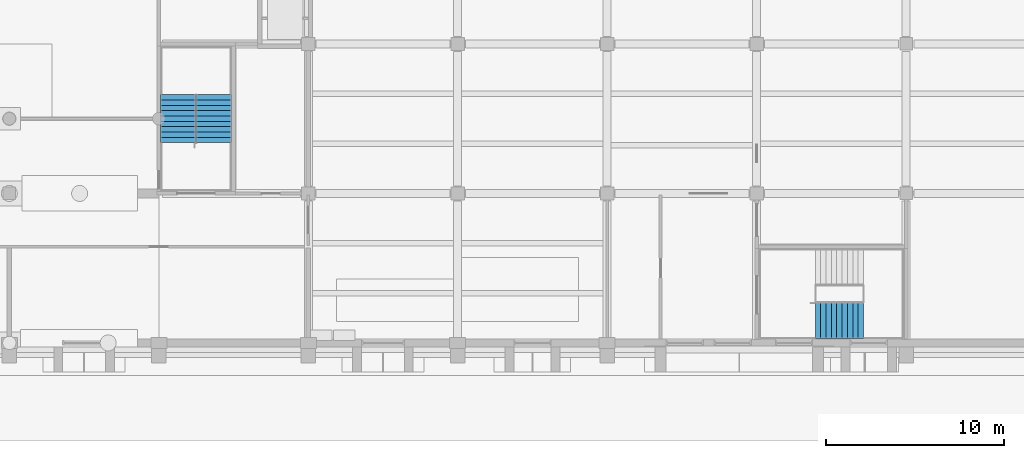
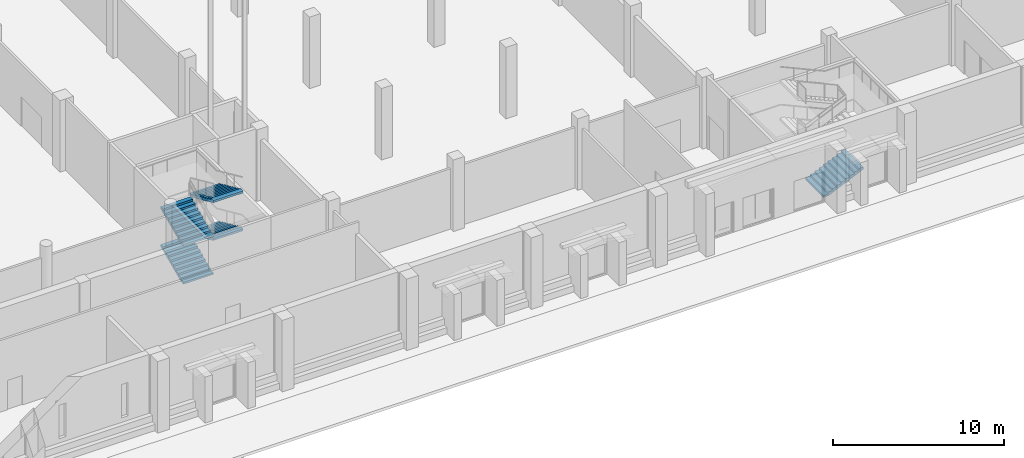
# One storey, part 53 of 74: 5 stair flights, 2 elements without a shape of their own.
"""IFC4 building model written with IfcOpenShell, lengths in metres."""

from ifc_helpers import new_model, si_unit, direction, frame, origin, place, context, subcontext, project, spatial, faceted_brep, material, type_object, element, aggregate, save


model = new_model("IFC4")

# Units and contexts
model_context = context("Model", 3, precision=1e-05, world=origin(), true_north=direction((0.0, 1.0)))
body_context = subcontext(model_context, "Body", "Model", "MODEL_VIEW")
ifc_project = project(units=[si_unit("LENGTHUNIT", "METRE"), si_unit("AREAUNIT", "SQUARE_METRE"), si_unit("VOLUMEUNIT", "CUBIC_METRE"), si_unit("PLANEANGLEUNIT", "RADIAN"), si_unit("MASSUNIT", "GRAM", prefix="KILO")], contexts=[model_context])

# Site, building, storey
site_placement = place(None, origin())
site = spatial("IfcSite", under=ifc_project, at=site_placement, CompositionType="ELEMENT")
building_placement = place(site_placement, origin())
building = spatial("IfcBuilding", under=site, at=building_placement, Name="Rulbaag Community and Learning Centre", CompositionType="ELEMENT")
storey_placement = place(building_placement, origin())
storey = spatial("IfcBuildingStorey", under=building, at=storey_placement, Name="L00", CompositionType="ELEMENT", Elevation=0.0)

# Stair, stair flights
ifc_material = material(Name="Concrete M40", Category="concrete")
stair_type_1 = type_object("IfcStairType", Name="ST-2000 STAIR 2000 WIDE", PredefinedType="HALF_TURN_STAIR", material=ifc_material)
stair_1_placement = place(storey_placement, origin())
stair_1 = element("IfcStair", 1, at=stair_1_placement, inside=storey, type_object=stair_type_1, Name="Stair ST-H2 L00", PredefinedType="HALF_TURN_STAIR")
stair_flight_type_1 = type_object("IfcStairFlightType", Name="FL-2000 FLIGHT 2000 WIDE Concrete M40", PredefinedType="STRAIGHT", material=ifc_material)
stair_flight_1_placement = place(storey_placement, frame((85.10009765625, 11.25, 0.0), z_axis=(0.0, 0.0, 1.0), x_axis=(0.0, 1.0, 0.0)))
stair_flight_1 = element("IfcStairFlight", 2, at=stair_flight_1_placement, type_object=stair_flight_type_1, Name="ST-H2 flight 1", NumberOfRisers=10, NumberOfTreads=9, PredefinedType="STRAIGHT", RiserHeight=0.135, TreadLength=0.3, context=body_context, shape_type="Brep", body=[
    faceted_brep([(0.3408203125, -1.0, 0.0), (2.699951171875, -1.0, 1.0615234375), (2.699951171875, -1.0, 1.215087890625), (2.39990234375, -1.0, 1.215087890625), (2.39990234375, -1.0, 1.080078125), (2.10009765625, -1.0, 1.080078125), (2.10009765625, -1.0, 0.945068359375), (1.800048828125, -1.0, 0.945068359375), (1.800048828125, -1.0, 0.81005859375), (1.5, -1.0, 0.81005859375), (1.5, -1.0, 0.675048828125), (1.199951171875, -1.0, 0.675048828125), (1.199951171875, -1.0, 0.5400390625), (0.89990234375, -1.0, 0.5400390625), (0.89990234375, -1.0, 0.405029296875), (0.60009765625, -1.0, 0.405029296875), (0.60009765625, -1.0, 0.27001953125), (0.300048828125, -1.0, 0.27001953125), (0.300048828125, -1.0, 0.135009765625), (0.0, -1.0, 0.135009765625), (0.0, -1.0, 0.0), (0.0, 1.0, 0.0), (0.0, 1.0, 0.135009765625), (0.300048828125, 1.0, 0.135009765625), (0.300048828125, 1.0, 0.27001953125), (0.60009765625, 1.0, 0.27001953125), (0.60009765625, 1.0, 0.405029296875), (0.89990234375, 1.0, 0.405029296875), (0.89990234375, 1.0, 0.5400390625), (1.199951171875, 1.0, 0.5400390625), (1.199951171875, 1.0, 0.675048828125), (1.5, 1.0, 0.675048828125), (1.5, 1.0, 0.81005859375), (1.800048828125, 1.0, 0.81005859375), (1.800048828125, 1.0, 0.945068359375), (2.10009765625, 1.0, 0.945068359375), (2.10009765625, 1.0, 1.080078125), (2.39990234375, 1.0, 1.080078125), (2.39990234375, 1.0, 1.215087890625), (2.699951171875, 1.0, 1.215087890625), (2.699951171875, 1.0, 1.0615234375), (0.3408203125, 1.0, 0.0), (0.0, -0.333251953125, 0.135009765625), (0.0, -0.333251953125, 0.0), (0.0, 0.333251953125, 0.135009765625), (0.0, 0.333251953125, 0.0), (0.300048828125, -0.333251953125, 0.135009765625), (0.300048828125, 0.333251953125, 0.135009765625), (0.300048828125, -0.333251953125, 0.27001953125), (0.300048828125, 0.333251953125, 0.27001953125), (0.60009765625, -0.333251953125, 0.27001953125), (0.60009765625, 0.333251953125, 0.27001953125), (0.60009765625, -0.333251953125, 0.405029296875), (0.60009765625, 0.333251953125, 0.405029296875), (0.89990234375, -0.333251953125, 0.405029296875), (0.89990234375, 0.333251953125, 0.405029296875), (0.89990234375, -0.333251953125, 0.5400390625), (0.89990234375, 0.333251953125, 0.5400390625), (1.199951171875, -0.333251953125, 0.5400390625), (1.199951171875, 0.333251953125, 0.5400390625), (1.199951171875, -0.333251953125, 0.675048828125), (1.199951171875, 0.333251953125, 0.675048828125), (1.5, -0.333251953125, 0.675048828125), (1.5, 0.333251953125, 0.675048828125), (1.5, -0.333251953125, 0.81005859375), (1.5, 0.333251953125, 0.81005859375), (1.800048828125, -0.333251953125, 0.81005859375), (1.800048828125, 0.333251953125, 0.81005859375), (1.800048828125, -0.333251953125, 0.945068359375), (1.800048828125, 0.333251953125, 0.945068359375), (2.10009765625, -0.333251953125, 0.945068359375), (2.10009765625, 0.333251953125, 0.945068359375), (2.10009765625, -0.333251953125, 1.080078125), (2.10009765625, 0.333251953125, 1.080078125), (2.39990234375, -0.333251953125, 1.080078125), (2.39990234375, 0.333251953125, 1.080078125), (2.39990234375, -0.333251953125, 1.215087890625), (2.39990234375, 0.333251953125, 1.215087890625), (2.699951171875, -0.333251953125, 1.215087890625), (2.699951171875, 0.333251953125, 1.215087890625), (2.699951171875, -0.333251953125, 1.0615234375), (2.699951171875, 0.333251953125, 1.0615234375), (0.3408203125, -0.333251953125, 0.0), (0.3408203125, 0.333251953125, 0.0)], [[[0, 1, 2, 3, 4, 5, 6, 7, 8, 9, 10, 11, 12, 13, 14, 15, 16, 17, 18, 19, 20]], [[21, 22, 23, 24, 25, 26, 27, 28, 29, 30, 31, 32, 33, 34, 35, 36, 37, 38, 39, 40, 41]], [[20, 19, 42, 43]], [[43, 42, 44, 45]], [[45, 44, 22, 21]], [[19, 18, 46, 42]], [[42, 46, 47, 44]], [[44, 47, 23, 22]], [[18, 17, 48, 46]], [[46, 48, 49, 47]], [[47, 49, 24, 23]], [[17, 16, 50, 48]], [[48, 50, 51, 49]], [[49, 51, 25, 24]], [[16, 15, 52, 50]], [[50, 52, 53, 51]], [[51, 53, 26, 25]], [[15, 14, 54, 52]], [[52, 54, 55, 53]], [[53, 55, 27, 26]], [[14, 13, 56, 54]], [[54, 56, 57, 55]], [[55, 57, 28, 27]], [[13, 12, 58, 56]], [[56, 58, 59, 57]], [[57, 59, 29, 28]], [[12, 11, 60, 58]], [[58, 60, 61, 59]], [[59, 61, 30, 29]], [[11, 10, 62, 60]], [[60, 62, 63, 61]], [[61, 63, 31, 30]], [[10, 9, 64, 62]], [[62, 64, 65, 63]], [[63, 65, 32, 31]], [[9, 8, 66, 64]], [[64, 66, 67, 65]], [[65, 67, 33, 32]], [[8, 7, 68, 66]], [[66, 68, 69, 67]], [[67, 69, 34, 33]], [[7, 6, 70, 68]], [[68, 70, 71, 69]], [[69, 71, 35, 34]], [[6, 5, 72, 70]], [[70, 72, 73, 71]], [[71, 73, 36, 35]], [[5, 4, 74, 72]], [[72, 74, 75, 73]], [[73, 75, 37, 36]], [[4, 3, 76, 74]], [[74, 76, 77, 75]], [[75, 77, 38, 37]], [[3, 2, 78, 76]], [[76, 78, 79, 77]], [[77, 79, 39, 38]], [[2, 1, 80, 78]], [[78, 80, 81, 79]], [[79, 81, 40, 39]], [[1, 0, 82, 80]], [[80, 82, 83, 81]], [[81, 83, 41, 40]], [[0, 20, 43, 82]], [[82, 43, 45, 83]], [[83, 45, 21, 41]]]),
])
stair_flight_2_placement = place(storey_placement, frame((87.10009765625, 13.949951171875, 1.35009765625), z_axis=(0.0, 0.0, 1.0), x_axis=(0.0, -1.0, 0.0)))
stair_flight_2 = element("IfcStairFlight", 3, at=stair_flight_2_placement, type_object=stair_flight_type_1, Name="ST-H2 flight 2", NumberOfRisers=10, NumberOfTreads=9, PredefinedType="STRAIGHT", RiserHeight=0.135, TreadLength=0.3, context=body_context, shape_type="Brep", body=[
    faceted_brep([(0.3408203125, -1.0, 0.0), (2.699951171875, -1.0, 1.0615234375), (2.699951171875, -1.0, 1.215087890625), (2.39990234375, -1.0, 1.215087890625), (2.39990234375, -1.0, 1.080078125), (2.10009765625, -1.0, 1.080078125), (2.10009765625, -1.0, 0.945068359375), (1.800048828125, -1.0, 0.945068359375), (1.800048828125, -1.0, 0.81005859375), (1.5, -1.0, 0.81005859375), (1.5, -1.0, 0.675048828125), (1.199951171875, -1.0, 0.675048828125), (1.199951171875, -1.0, 0.5400390625), (0.89990234375, -1.0, 0.5400390625), (0.89990234375, -1.0, 0.405029296875), (0.60009765625, -1.0, 0.405029296875), (0.60009765625, -1.0, 0.27001953125), (0.300048828125, -1.0, 0.27001953125), (0.300048828125, -1.0, 0.135009765625), (0.0, -1.0, 0.135009765625), (0.0, -1.0, 0.0), (0.0, 1.0, 0.0), (0.0, 1.0, 0.135009765625), (0.300048828125, 1.0, 0.135009765625), (0.300048828125, 1.0, 0.27001953125), (0.60009765625, 1.0, 0.27001953125), (0.60009765625, 1.0, 0.405029296875), (0.89990234375, 1.0, 0.405029296875), (0.89990234375, 1.0, 0.5400390625), (1.199951171875, 1.0, 0.5400390625), (1.199951171875, 1.0, 0.675048828125), (1.5, 1.0, 0.675048828125), (1.5, 1.0, 0.81005859375), (1.800048828125, 1.0, 0.81005859375), (1.800048828125, 1.0, 0.945068359375), (2.10009765625, 1.0, 0.945068359375), (2.10009765625, 1.0, 1.080078125), (2.39990234375, 1.0, 1.080078125), (2.39990234375, 1.0, 1.215087890625), (2.699951171875, 1.0, 1.215087890625), (2.699951171875, 1.0, 1.0615234375), (0.3408203125, 1.0, 0.0), (0.0, -0.333251953125, 0.135009765625), (0.0, -0.333251953125, 0.0), (0.0, 0.333251953125, 0.135009765625), (0.0, 0.333251953125, 0.0), (0.300048828125, -0.333251953125, 0.135009765625), (0.300048828125, 0.333251953125, 0.135009765625), (0.300048828125, -0.333251953125, 0.27001953125), (0.300048828125, 0.333251953125, 0.27001953125), (0.60009765625, -0.333251953125, 0.27001953125), (0.60009765625, 0.333251953125, 0.27001953125), (0.60009765625, -0.333251953125, 0.405029296875), (0.60009765625, 0.333251953125, 0.405029296875), (0.89990234375, -0.333251953125, 0.405029296875), (0.89990234375, 0.333251953125, 0.405029296875), (0.89990234375, -0.333251953125, 0.5400390625), (0.89990234375, 0.333251953125, 0.5400390625), (1.199951171875, -0.333251953125, 0.5400390625), (1.199951171875, 0.333251953125, 0.5400390625), (1.199951171875, -0.333251953125, 0.675048828125), (1.199951171875, 0.333251953125, 0.675048828125), (1.5, -0.333251953125, 0.675048828125), (1.5, 0.333251953125, 0.675048828125), (1.5, -0.333251953125, 0.81005859375), (1.5, 0.333251953125, 0.81005859375), (1.800048828125, -0.333251953125, 0.81005859375), (1.800048828125, 0.333251953125, 0.81005859375), (1.800048828125, -0.333251953125, 0.945068359375), (1.800048828125, 0.333251953125, 0.945068359375), (2.10009765625, -0.333251953125, 0.945068359375), (2.10009765625, 0.333251953125, 0.945068359375), (2.10009765625, -0.333251953125, 1.080078125), (2.10009765625, 0.333251953125, 1.080078125), (2.39990234375, -0.333251953125, 1.080078125), (2.39990234375, 0.333251953125, 1.080078125), (2.39990234375, -0.333251953125, 1.215087890625), (2.39990234375, 0.333251953125, 1.215087890625), (2.699951171875, -0.333251953125, 1.215087890625), (2.699951171875, 0.333251953125, 1.215087890625), (2.699951171875, -0.333251953125, 1.0615234375), (2.699951171875, 0.333251953125, 1.0615234375), (0.3408203125, -0.333251953125, 0.0), (0.3408203125, 0.333251953125, 0.0)], [[[0, 1, 2, 3, 4, 5, 6, 7, 8, 9, 10, 11, 12, 13, 14, 15, 16, 17, 18, 19, 20]], [[21, 22, 23, 24, 25, 26, 27, 28, 29, 30, 31, 32, 33, 34, 35, 36, 37, 38, 39, 40, 41]], [[20, 19, 42, 43]], [[43, 42, 44, 45]], [[45, 44, 22, 21]], [[19, 18, 46, 42]], [[42, 46, 47, 44]], [[44, 47, 23, 22]], [[18, 17, 48, 46]], [[46, 48, 49, 47]], [[47, 49, 24, 23]], [[17, 16, 50, 48]], [[48, 50, 51, 49]], [[49, 51, 25, 24]], [[16, 15, 52, 50]], [[50, 52, 53, 51]], [[51, 53, 26, 25]], [[15, 14, 54, 52]], [[52, 54, 55, 53]], [[53, 55, 27, 26]], [[14, 13, 56, 54]], [[54, 56, 57, 55]], [[55, 57, 28, 27]], [[13, 12, 58, 56]], [[56, 58, 59, 57]], [[57, 59, 29, 28]], [[12, 11, 60, 58]], [[58, 60, 61, 59]], [[59, 61, 30, 29]], [[11, 10, 62, 60]], [[60, 62, 63, 61]], [[61, 63, 31, 30]], [[10, 9, 64, 62]], [[62, 64, 65, 63]], [[63, 65, 32, 31]], [[9, 8, 66, 64]], [[64, 66, 67, 65]], [[65, 67, 33, 32]], [[8, 7, 68, 66]], [[66, 68, 69, 67]], [[67, 69, 34, 33]], [[7, 6, 70, 68]], [[68, 70, 71, 69]], [[69, 71, 35, 34]], [[6, 5, 72, 70]], [[70, 72, 73, 71]], [[71, 73, 36, 35]], [[5, 4, 74, 72]], [[72, 74, 75, 73]], [[73, 75, 37, 36]], [[4, 3, 76, 74]], [[74, 76, 77, 75]], [[75, 77, 38, 37]], [[3, 2, 78, 76]], [[76, 78, 79, 77]], [[77, 79, 39, 38]], [[2, 1, 80, 78]], [[78, 80, 81, 79]], [[79, 81, 40, 39]], [[1, 0, 82, 80]], [[80, 82, 83, 81]], [[81, 83, 41, 40]], [[0, 20, 43, 82]], [[82, 43, 45, 83]], [[83, 45, 21, 41]]]),
])
stair_flight_3_placement = place(storey_placement, frame((85.10009765625, 11.25, 2.699951171875), z_axis=(0.0, 0.0, 1.0), x_axis=(0.0, 1.0, 0.0)))
stair_flight_3 = element("IfcStairFlight", 4, at=stair_flight_3_placement, type_object=stair_flight_type_1, Name="ST-H2 flight 3", NumberOfRisers=10, NumberOfTreads=9, PredefinedType="STRAIGHT", RiserHeight=0.135, TreadLength=0.3, context=body_context, shape_type="Brep", body=[
    faceted_brep([(0.3408203125, -1.0, 0.0), (2.699951171875, -1.0, 1.0615234375), (2.699951171875, -1.0, 1.215087890625), (2.39990234375, -1.0, 1.215087890625), (2.39990234375, -1.0, 1.080078125), (2.10009765625, -1.0, 1.080078125), (2.10009765625, -1.0, 0.945068359375), (1.800048828125, -1.0, 0.945068359375), (1.800048828125, -1.0, 0.81005859375), (1.5, -1.0, 0.81005859375), (1.5, -1.0, 0.675048828125), (1.199951171875, -1.0, 0.675048828125), (1.199951171875, -1.0, 0.5400390625), (0.89990234375, -1.0, 0.5400390625), (0.89990234375, -1.0, 0.405029296875), (0.60009765625, -1.0, 0.405029296875), (0.60009765625, -1.0, 0.27001953125), (0.300048828125, -1.0, 0.27001953125), (0.300048828125, -1.0, 0.135009765625), (0.0, -1.0, 0.135009765625), (0.0, -1.0, 0.0), (0.0, 1.0, 0.0), (0.0, 1.0, 0.135009765625), (0.300048828125, 1.0, 0.135009765625), (0.300048828125, 1.0, 0.27001953125), (0.60009765625, 1.0, 0.27001953125), (0.60009765625, 1.0, 0.405029296875), (0.89990234375, 1.0, 0.405029296875), (0.89990234375, 1.0, 0.5400390625), (1.199951171875, 1.0, 0.5400390625), (1.199951171875, 1.0, 0.675048828125), (1.5, 1.0, 0.675048828125), (1.5, 1.0, 0.81005859375), (1.800048828125, 1.0, 0.81005859375), (1.800048828125, 1.0, 0.945068359375), (2.10009765625, 1.0, 0.945068359375), (2.10009765625, 1.0, 1.080078125), (2.39990234375, 1.0, 1.080078125), (2.39990234375, 1.0, 1.215087890625), (2.699951171875, 1.0, 1.215087890625), (2.699951171875, 1.0, 1.0615234375), (0.3408203125, 1.0, 0.0), (0.0, -0.333251953125, 0.135009765625), (0.0, -0.333251953125, 0.0), (0.0, 0.333251953125, 0.135009765625), (0.0, 0.333251953125, 0.0), (0.300048828125, -0.333251953125, 0.135009765625), (0.300048828125, 0.333251953125, 0.135009765625), (0.300048828125, -0.333251953125, 0.27001953125), (0.300048828125, 0.333251953125, 0.27001953125), (0.60009765625, -0.333251953125, 0.27001953125), (0.60009765625, 0.333251953125, 0.27001953125), (0.60009765625, -0.333251953125, 0.405029296875), (0.60009765625, 0.333251953125, 0.405029296875), (0.89990234375, -0.333251953125, 0.405029296875), (0.89990234375, 0.333251953125, 0.405029296875), (0.89990234375, -0.333251953125, 0.5400390625), (0.89990234375, 0.333251953125, 0.5400390625), (1.199951171875, -0.333251953125, 0.5400390625), (1.199951171875, 0.333251953125, 0.5400390625), (1.199951171875, -0.333251953125, 0.675048828125), (1.199951171875, 0.333251953125, 0.675048828125), (1.5, -0.333251953125, 0.675048828125), (1.5, 0.333251953125, 0.675048828125), (1.5, -0.333251953125, 0.81005859375), (1.5, 0.333251953125, 0.81005859375), (1.800048828125, -0.333251953125, 0.81005859375), (1.800048828125, 0.333251953125, 0.81005859375), (1.800048828125, -0.333251953125, 0.945068359375), (1.800048828125, 0.333251953125, 0.945068359375), (2.10009765625, -0.333251953125, 0.945068359375), (2.10009765625, 0.333251953125, 0.945068359375), (2.10009765625, -0.333251953125, 1.080078125), (2.10009765625, 0.333251953125, 1.080078125), (2.39990234375, -0.333251953125, 1.080078125), (2.39990234375, 0.333251953125, 1.080078125), (2.39990234375, -0.333251953125, 1.215087890625), (2.39990234375, 0.333251953125, 1.215087890625), (2.699951171875, -0.333251953125, 1.215087890625), (2.699951171875, 0.333251953125, 1.215087890625), (2.699951171875, -0.333251953125, 1.0615234375), (2.699951171875, 0.333251953125, 1.0615234375), (0.3408203125, -0.333251953125, 0.0), (0.3408203125, 0.333251953125, 0.0)], [[[0, 1, 2, 3, 4, 5, 6, 7, 8, 9, 10, 11, 12, 13, 14, 15, 16, 17, 18, 19, 20]], [[21, 22, 23, 24, 25, 26, 27, 28, 29, 30, 31, 32, 33, 34, 35, 36, 37, 38, 39, 40, 41]], [[20, 19, 42, 43]], [[43, 42, 44, 45]], [[45, 44, 22, 21]], [[19, 18, 46, 42]], [[42, 46, 47, 44]], [[44, 47, 23, 22]], [[18, 17, 48, 46]], [[46, 48, 49, 47]], [[47, 49, 24, 23]], [[17, 16, 50, 48]], [[48, 50, 51, 49]], [[49, 51, 25, 24]], [[16, 15, 52, 50]], [[50, 52, 53, 51]], [[51, 53, 26, 25]], [[15, 14, 54, 52]], [[52, 54, 55, 53]], [[53, 55, 27, 26]], [[14, 13, 56, 54]], [[54, 56, 57, 55]], [[55, 57, 28, 27]], [[13, 12, 58, 56]], [[56, 58, 59, 57]], [[57, 59, 29, 28]], [[12, 11, 60, 58]], [[58, 60, 61, 59]], [[59, 61, 30, 29]], [[11, 10, 62, 60]], [[60, 62, 63, 61]], [[61, 63, 31, 30]], [[10, 9, 64, 62]], [[62, 64, 65, 63]], [[63, 65, 32, 31]], [[9, 8, 66, 64]], [[64, 66, 67, 65]], [[65, 67, 33, 32]], [[8, 7, 68, 66]], [[66, 68, 69, 67]], [[67, 69, 34, 33]], [[7, 6, 70, 68]], [[68, 70, 71, 69]], [[69, 71, 35, 34]], [[6, 5, 72, 70]], [[70, 72, 73, 71]], [[71, 73, 36, 35]], [[5, 4, 74, 72]], [[72, 74, 75, 73]], [[73, 75, 37, 36]], [[4, 3, 76, 74]], [[74, 76, 77, 75]], [[75, 77, 38, 37]], [[3, 2, 78, 76]], [[76, 78, 79, 77]], [[77, 79, 39, 38]], [[2, 1, 80, 78]], [[78, 80, 81, 79]], [[79, 81, 40, 39]], [[1, 0, 82, 80]], [[80, 82, 83, 81]], [[81, 83, 41, 40]], [[0, 20, 43, 82]], [[82, 43, 45, 83]], [[83, 45, 21, 41]]]),
])
stair_flight_4_placement = place(storey_placement, frame((87.10009765625, 13.949951171875, 4.050048828125), z_axis=(0.0, 0.0, 1.0), x_axis=(0.0, -1.0, 0.0)))
stair_flight_4 = element("IfcStairFlight", 5, at=stair_flight_4_placement, type_object=stair_flight_type_1, Name="ST-H2 flight 4", NumberOfRisers=10, NumberOfTreads=9, PredefinedType="STRAIGHT", RiserHeight=0.135, TreadLength=0.3, context=body_context, shape_type="Brep", body=[
    faceted_brep([(0.3408203125, -1.0, 0.0), (2.699951171875, -1.0, 1.0615234375), (2.699951171875, -1.0, 1.215087890625), (2.39990234375, -1.0, 1.215087890625), (2.39990234375, -1.0, 1.080078125), (2.10009765625, -1.0, 1.080078125), (2.10009765625, -1.0, 0.945068359375), (1.800048828125, -1.0, 0.945068359375), (1.800048828125, -1.0, 0.81005859375), (1.5, -1.0, 0.81005859375), (1.5, -1.0, 0.675048828125), (1.199951171875, -1.0, 0.675048828125), (1.199951171875, -1.0, 0.5400390625), (0.89990234375, -1.0, 0.5400390625), (0.89990234375, -1.0, 0.405029296875), (0.60009765625, -1.0, 0.405029296875), (0.60009765625, -1.0, 0.27001953125), (0.300048828125, -1.0, 0.27001953125), (0.300048828125, -1.0, 0.135009765625), (0.0, -1.0, 0.135009765625), (0.0, -1.0, 0.0), (0.0, 1.0, 0.0), (0.0, 1.0, 0.135009765625), (0.300048828125, 1.0, 0.135009765625), (0.300048828125, 1.0, 0.27001953125), (0.60009765625, 1.0, 0.27001953125), (0.60009765625, 1.0, 0.405029296875), (0.89990234375, 1.0, 0.405029296875), (0.89990234375, 1.0, 0.5400390625), (1.199951171875, 1.0, 0.5400390625), (1.199951171875, 1.0, 0.675048828125), (1.5, 1.0, 0.675048828125), (1.5, 1.0, 0.81005859375), (1.800048828125, 1.0, 0.81005859375), (1.800048828125, 1.0, 0.945068359375), (2.10009765625, 1.0, 0.945068359375), (2.10009765625, 1.0, 1.080078125), (2.39990234375, 1.0, 1.080078125), (2.39990234375, 1.0, 1.215087890625), (2.699951171875, 1.0, 1.215087890625), (2.699951171875, 1.0, 1.0615234375), (0.3408203125, 1.0, 0.0), (0.0, -0.333251953125, 0.135009765625), (0.0, -0.333251953125, 0.0), (0.0, 0.333251953125, 0.135009765625), (0.0, 0.333251953125, 0.0), (0.300048828125, -0.333251953125, 0.135009765625), (0.300048828125, 0.333251953125, 0.135009765625), (0.300048828125, -0.333251953125, 0.27001953125), (0.300048828125, 0.333251953125, 0.27001953125), (0.60009765625, -0.333251953125, 0.27001953125), (0.60009765625, 0.333251953125, 0.27001953125), (0.60009765625, -0.333251953125, 0.405029296875), (0.60009765625, 0.333251953125, 0.405029296875), (0.89990234375, -0.333251953125, 0.405029296875), (0.89990234375, 0.333251953125, 0.405029296875), (0.89990234375, -0.333251953125, 0.5400390625), (0.89990234375, 0.333251953125, 0.5400390625), (1.199951171875, -0.333251953125, 0.5400390625), (1.199951171875, 0.333251953125, 0.5400390625), (1.199951171875, -0.333251953125, 0.675048828125), (1.199951171875, 0.333251953125, 0.675048828125), (1.5, -0.333251953125, 0.675048828125), (1.5, 0.333251953125, 0.675048828125), (1.5, -0.333251953125, 0.81005859375), (1.5, 0.333251953125, 0.81005859375), (1.800048828125, -0.333251953125, 0.81005859375), (1.800048828125, 0.333251953125, 0.81005859375), (1.800048828125, -0.333251953125, 0.945068359375), (1.800048828125, 0.333251953125, 0.945068359375), (2.10009765625, -0.333251953125, 0.945068359375), (2.10009765625, 0.333251953125, 0.945068359375), (2.10009765625, -0.333251953125, 1.080078125), (2.10009765625, 0.333251953125, 1.080078125), (2.39990234375, -0.333251953125, 1.080078125), (2.39990234375, 0.333251953125, 1.080078125), (2.39990234375, -0.333251953125, 1.215087890625), (2.39990234375, 0.333251953125, 1.215087890625), (2.699951171875, -0.333251953125, 1.215087890625), (2.699951171875, 0.333251953125, 1.215087890625), (2.699951171875, -0.333251953125, 1.0615234375), (2.699951171875, 0.333251953125, 1.0615234375), (0.3408203125, -0.333251953125, 0.0), (0.3408203125, 0.333251953125, 0.0)], [[[0, 1, 2, 3, 4, 5, 6, 7, 8, 9, 10, 11, 12, 13, 14, 15, 16, 17, 18, 19, 20]], [[21, 22, 23, 24, 25, 26, 27, 28, 29, 30, 31, 32, 33, 34, 35, 36, 37, 38, 39, 40, 41]], [[20, 19, 42, 43]], [[43, 42, 44, 45]], [[45, 44, 22, 21]], [[19, 18, 46, 42]], [[42, 46, 47, 44]], [[44, 47, 23, 22]], [[18, 17, 48, 46]], [[46, 48, 49, 47]], [[47, 49, 24, 23]], [[17, 16, 50, 48]], [[48, 50, 51, 49]], [[49, 51, 25, 24]], [[16, 15, 52, 50]], [[50, 52, 53, 51]], [[51, 53, 26, 25]], [[15, 14, 54, 52]], [[52, 54, 55, 53]], [[53, 55, 27, 26]], [[14, 13, 56, 54]], [[54, 56, 57, 55]], [[55, 57, 28, 27]], [[13, 12, 58, 56]], [[56, 58, 59, 57]], [[57, 59, 29, 28]], [[12, 11, 60, 58]], [[58, 60, 61, 59]], [[59, 61, 30, 29]], [[11, 10, 62, 60]], [[60, 62, 63, 61]], [[61, 63, 31, 30]], [[10, 9, 64, 62]], [[62, 64, 65, 63]], [[63, 65, 32, 31]], [[9, 8, 66, 64]], [[64, 66, 67, 65]], [[65, 67, 33, 32]], [[8, 7, 68, 66]], [[66, 68, 69, 67]], [[67, 69, 34, 33]], [[7, 6, 70, 68]], [[68, 70, 71, 69]], [[69, 71, 35, 34]], [[6, 5, 72, 70]], [[70, 72, 73, 71]], [[71, 73, 36, 35]], [[5, 4, 74, 72]], [[72, 74, 75, 73]], [[73, 75, 37, 36]], [[4, 3, 76, 74]], [[74, 76, 77, 75]], [[75, 77, 38, 37]], [[3, 2, 78, 76]], [[76, 78, 79, 77]], [[77, 79, 39, 38]], [[2, 1, 80, 78]], [[78, 80, 81, 79]], [[79, 81, 40, 39]], [[1, 0, 82, 80]], [[80, 82, 83, 81]], [[81, 83, 41, 40]], [[0, 20, 43, 82]], [[82, 43, 45, 83]], [[83, 45, 21, 41]]]),
])
aggregate(stair_1, [stair_flight_1, stair_flight_2, stair_flight_3, stair_flight_4])

# Stair, stair flight
stair_type_2 = type_object("IfcStairType", Name="ST-2100 STAIR 2100 WIDE", PredefinedType="HALF_TURN_STAIR", material=ifc_material)
stair_2_placement = place(storey_placement, origin())
stair_2 = element("IfcStair", 6, at=stair_2_placement, inside=storey, type_object=stair_type_2, Name="Stair ST-H11 L00", PredefinedType="HALF_TURN_STAIR")
stair_flight_type_2 = type_object("IfcStairFlightType", Name="FL-2100 FLIGHT 2100 WIDE Concrete M40", PredefinedType="STRAIGHT", material=ifc_material)
stair_flight_5_placement = place(storey_placement, frame((120.89990234375, 1.27490234375, 0.0), z_axis=(0.0, 0.0, 1.0), x_axis=(1.0, 0.0, 0.0)))
stair_flight_5 = element("IfcStairFlight", 7, at=stair_flight_5_placement, type_object=stair_flight_type_2, Name="ST-H11 flight 1", NumberOfRisers=10, NumberOfTreads=9, PredefinedType="STRAIGHT", RiserHeight=0.135, TreadLength=0.3, context=body_context, shape_type="Brep", body=[
    faceted_brep([(0.3408203125, -1.050048828125, 0.0), (2.699951171875, -1.050048828125, 1.0615234375), (2.699951171875, -1.050048828125, 1.215087890625), (2.39990234375, -1.050048828125, 1.215087890625), (2.39990234375, -1.050048828125, 1.080078125), (2.10009765625, -1.050048828125, 1.080078125), (2.10009765625, -1.050048828125, 0.945068359375), (1.800048828125, -1.050048828125, 0.945068359375), (1.800048828125, -1.050048828125, 0.81005859375), (1.5, -1.050048828125, 0.81005859375), (1.5, -1.050048828125, 0.675048828125), (1.199951171875, -1.050048828125, 0.675048828125), (1.199951171875, -1.050048828125, 0.5400390625), (0.89990234375, -1.050048828125, 0.5400390625), (0.89990234375, -1.050048828125, 0.405029296875), (0.60009765625, -1.050048828125, 0.405029296875), (0.60009765625, -1.050048828125, 0.27001953125), (0.300048828125, -1.050048828125, 0.27001953125), (0.300048828125, -1.050048828125, 0.135009765625), (0.0, -1.050048828125, 0.135009765625), (0.0, -1.050048828125, 0.0), (0.0, 1.050048828125, 0.0), (0.0, 1.050048828125, 0.135009765625), (0.300048828125, 1.050048828125, 0.135009765625), (0.300048828125, 1.050048828125, 0.27001953125), (0.60009765625, 1.050048828125, 0.27001953125), (0.60009765625, 1.050048828125, 0.405029296875), (0.89990234375, 1.050048828125, 0.405029296875), (0.89990234375, 1.050048828125, 0.5400390625), (1.199951171875, 1.050048828125, 0.5400390625), (1.199951171875, 1.050048828125, 0.675048828125), (1.5, 1.050048828125, 0.675048828125), (1.5, 1.050048828125, 0.81005859375), (1.800048828125, 1.050048828125, 0.81005859375), (1.800048828125, 1.050048828125, 0.945068359375), (2.10009765625, 1.050048828125, 0.945068359375), (2.10009765625, 1.050048828125, 1.080078125), (2.39990234375, 1.050048828125, 1.080078125), (2.39990234375, 1.050048828125, 1.215087890625), (2.699951171875, 1.050048828125, 1.215087890625), (2.699951171875, 1.050048828125, 1.0615234375), (0.3408203125, 1.050048828125, 0.0), (0.0, -0.52490234375, 0.135009765625), (0.0, -0.52490234375, 0.0), (0.0, 0.0, 0.135009765625), (0.0, 0.0, 0.0), (0.0, 0.52490234375, 0.135009765625), (0.0, 0.52490234375, 0.0), (0.300048828125, -0.52490234375, 0.135009765625), (0.300048828125, 0.0, 0.135009765625), (0.300048828125, 0.52490234375, 0.135009765625), (0.300048828125, -0.52490234375, 0.27001953125), (0.300048828125, 0.0, 0.27001953125), (0.300048828125, 0.52490234375, 0.27001953125), (0.60009765625, -0.52490234375, 0.27001953125), (0.60009765625, 0.0, 0.27001953125), (0.60009765625, 0.52490234375, 0.27001953125), (0.60009765625, -0.52490234375, 0.405029296875), (0.60009765625, 0.0, 0.405029296875), (0.60009765625, 0.52490234375, 0.405029296875), (0.89990234375, -0.52490234375, 0.405029296875), (0.89990234375, 0.0, 0.405029296875), (0.89990234375, 0.52490234375, 0.405029296875), (0.89990234375, -0.52490234375, 0.5400390625), (0.89990234375, 0.0, 0.5400390625), (0.89990234375, 0.52490234375, 0.5400390625), (1.199951171875, -0.52490234375, 0.5400390625), (1.199951171875, 0.0, 0.5400390625), (1.199951171875, 0.52490234375, 0.5400390625), (1.199951171875, -0.52490234375, 0.675048828125), (1.199951171875, 0.0, 0.675048828125), (1.199951171875, 0.52490234375, 0.675048828125), (1.5, -0.52490234375, 0.675048828125), (1.5, 0.0, 0.675048828125), (1.5, 0.52490234375, 0.675048828125), (1.5, -0.52490234375, 0.81005859375), (1.5, 0.0, 0.81005859375), (1.5, 0.52490234375, 0.81005859375), (1.800048828125, -0.52490234375, 0.81005859375), (1.800048828125, 0.0, 0.81005859375), (1.800048828125, 0.52490234375, 0.81005859375), (1.800048828125, -0.52490234375, 0.945068359375), (1.800048828125, 0.0, 0.945068359375), (1.800048828125, 0.52490234375, 0.945068359375), (2.10009765625, -0.52490234375, 0.945068359375), (2.10009765625, 0.0, 0.945068359375), (2.10009765625, 0.52490234375, 0.945068359375), (2.10009765625, -0.52490234375, 1.080078125), (2.10009765625, 0.0, 1.080078125), (2.10009765625, 0.52490234375, 1.080078125), (2.39990234375, -0.52490234375, 1.080078125), (2.39990234375, 0.0, 1.080078125), (2.39990234375, 0.52490234375, 1.080078125), (2.39990234375, -0.52490234375, 1.215087890625), (2.39990234375, 0.0, 1.215087890625), (2.39990234375, 0.52490234375, 1.215087890625), (2.699951171875, -0.52490234375, 1.215087890625), (2.699951171875, 0.0, 1.215087890625), (2.699951171875, 0.52490234375, 1.215087890625), (2.699951171875, -0.52490234375, 1.0615234375), (2.699951171875, 0.0, 1.0615234375), (2.699951171875, 0.52490234375, 1.0615234375), (0.3408203125, -0.52490234375, 0.0), (0.3408203125, 0.0, 0.0), (0.3408203125, 0.52490234375, 0.0)], [[[0, 1, 2, 3, 4, 5, 6, 7, 8, 9, 10, 11, 12, 13, 14, 15, 16, 17, 18, 19, 20]], [[21, 22, 23, 24, 25, 26, 27, 28, 29, 30, 31, 32, 33, 34, 35, 36, 37, 38, 39, 40, 41]], [[20, 19, 42, 43]], [[43, 42, 44, 45]], [[45, 44, 46, 47]], [[47, 46, 22, 21]], [[19, 18, 48, 42]], [[42, 48, 49, 44]], [[44, 49, 50, 46]], [[46, 50, 23, 22]], [[18, 17, 51, 48]], [[48, 51, 52, 49]], [[49, 52, 53, 50]], [[50, 53, 24, 23]], [[17, 16, 54, 51]], [[51, 54, 55, 52]], [[52, 55, 56, 53]], [[53, 56, 25, 24]], [[16, 15, 57, 54]], [[54, 57, 58, 55]], [[55, 58, 59, 56]], [[56, 59, 26, 25]], [[15, 14, 60, 57]], [[57, 60, 61, 58]], [[58, 61, 62, 59]], [[59, 62, 27, 26]], [[14, 13, 63, 60]], [[60, 63, 64, 61]], [[61, 64, 65, 62]], [[62, 65, 28, 27]], [[13, 12, 66, 63]], [[63, 66, 67, 64]], [[64, 67, 68, 65]], [[65, 68, 29, 28]], [[12, 11, 69, 66]], [[66, 69, 70, 67]], [[67, 70, 71, 68]], [[68, 71, 30, 29]], [[11, 10, 72, 69]], [[69, 72, 73, 70]], [[70, 73, 74, 71]], [[71, 74, 31, 30]], [[10, 9, 75, 72]], [[72, 75, 76, 73]], [[73, 76, 77, 74]], [[74, 77, 32, 31]], [[9, 8, 78, 75]], [[75, 78, 79, 76]], [[76, 79, 80, 77]], [[77, 80, 33, 32]], [[8, 7, 81, 78]], [[78, 81, 82, 79]], [[79, 82, 83, 80]], [[80, 83, 34, 33]], [[7, 6, 84, 81]], [[81, 84, 85, 82]], [[82, 85, 86, 83]], [[83, 86, 35, 34]], [[6, 5, 87, 84]], [[84, 87, 88, 85]], [[85, 88, 89, 86]], [[86, 89, 36, 35]], [[5, 4, 90, 87]], [[87, 90, 91, 88]], [[88, 91, 92, 89]], [[89, 92, 37, 36]], [[4, 3, 93, 90]], [[90, 93, 94, 91]], [[91, 94, 95, 92]], [[92, 95, 38, 37]], [[3, 2, 96, 93]], [[93, 96, 97, 94]], [[94, 97, 98, 95]], [[95, 98, 39, 38]], [[2, 1, 99, 96]], [[96, 99, 100, 97]], [[97, 100, 101, 98]], [[98, 101, 40, 39]], [[1, 0, 102, 99]], [[99, 102, 103, 100]], [[100, 103, 104, 101]], [[101, 104, 41, 40]], [[0, 20, 43, 102]], [[102, 43, 45, 103]], [[103, 45, 47, 104]], [[104, 47, 21, 41]]]),
])
aggregate(stair_2, [stair_flight_5])

save(model, "model.ifc")
